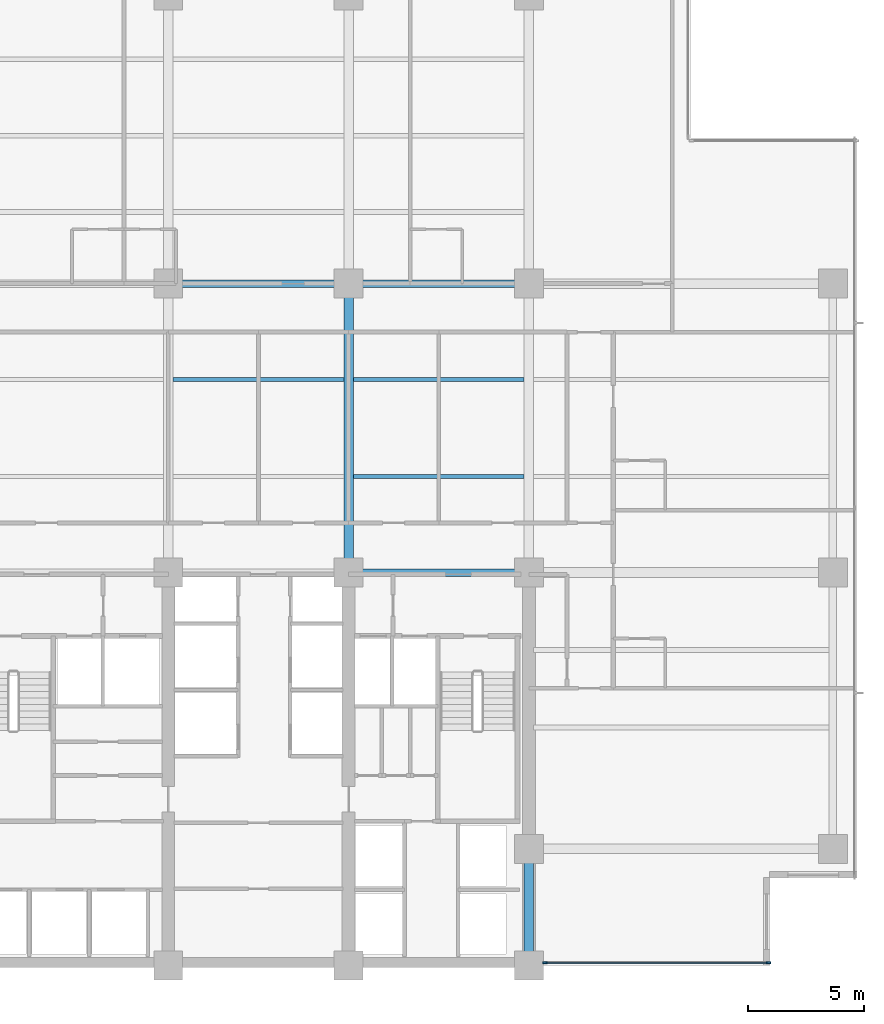
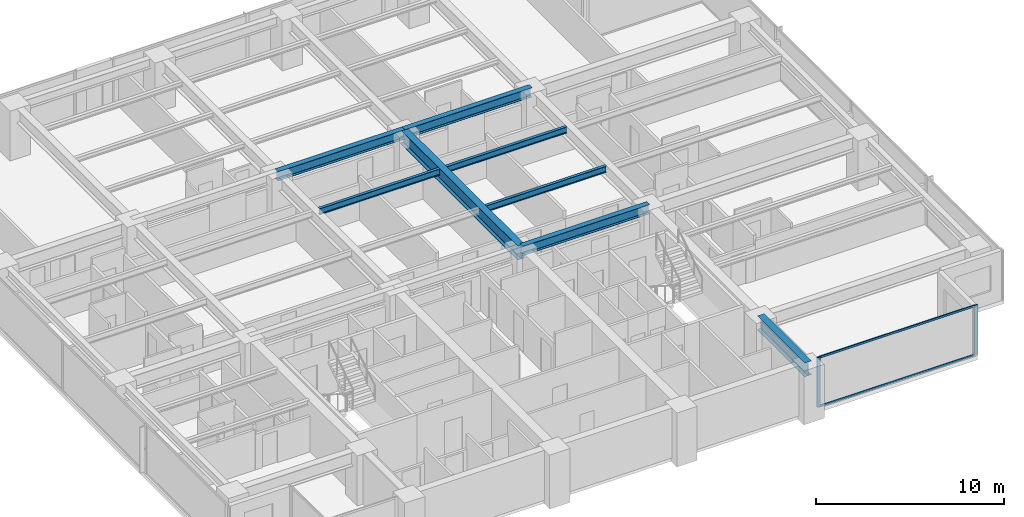
# One storey, part 3 of 17: 8 beams, 4 members, 1 element without a shape of its own.
"""IFC4 building model written with IfcOpenShell, lengths in metres."""

from ifc_helpers import new_model, si_unit, direction, frame, origin, origin_2d, place, context, subcontext, project, spatial, rectangle, i_section, extrude, material, layer, layer_set, material_profile, profile_set, type_object, element, aggregate, save


model = new_model("IFC4")

# Units and contexts
model_context = context("Model", 3, precision=1e-05, world=origin(), true_north=direction((0.0, 1.0)))
body_context = subcontext(model_context, "Body", "Model", "MODEL_VIEW")
ifc_project = project(units=[si_unit("LENGTHUNIT", "METRE"), si_unit("AREAUNIT", "SQUARE_METRE"), si_unit("VOLUMEUNIT", "CUBIC_METRE"), si_unit("PLANEANGLEUNIT", "RADIAN"), si_unit("MASSUNIT", "GRAM", prefix="KILO")], contexts=[model_context])

# Site, building, storey
site_placement = place(None, origin())
site = spatial("IfcSite", under=ifc_project, at=site_placement, CompositionType="ELEMENT")
building_placement = place(site_placement, origin())
building = spatial("IfcBuilding", under=site, at=building_placement, Name="Qalmaran Belvedere Hotel", CompositionType="ELEMENT")
storey_placement = place(building_placement, frame((0.0, 0.0, 116.199951171875)))
storey = spatial("IfcBuildingStorey", under=building, at=storey_placement, Name="L29", CompositionType="ELEMENT", Elevation=116.199951171875)

# Beams
ifc_material_1 = material(Name="Steel S355JR", Category="steel")
ifc_material_profile_1 = material_profile(ifc_material_1, i_section(OverallWidth=0.41796875, OverallDepth=0.912109375, WebThickness=0.019287109375, FlangeThickness=0.031982421875, FilletRadius=0.02392578125, at=origin_2d()), Name="W920X342")
ifc_profile_set_1 = profile_set([ifc_material_profile_1], Name="Steel S355JR")
beam_type_1 = type_object("IfcBeamType", Name="BM-PG2-W920X342", PredefinedType="USERDEFINED", material=ifc_profile_set_1)
beam_1_placement = place(storey_placement, frame((37.0, 20.5, 2.783935546875), z_axis=(0.0, 1.0, 0.0), x_axis=(-1.0, 0.0, 0.0)))
element("IfcBeam", 1, at=beam_1_placement, inside=storey, type_object=beam_type_1, Name="L29 Mid-Plate N-S Girder 18", ObjectType="GIRDER", PredefinedType="USERDEFINED", context=body_context, shape_type="SweptSolid", body=[
    extrude(i_section(OverallWidth=0.41796875, OverallDepth=0.912109375, WebThickness=0.019287109375, FlangeThickness=0.031982421875, FilletRadius=0.02392578125, at=origin_2d()), origin(), (0.0, 0.0, 1.0), 12.5),
])
beam_2_placement = place(storey_placement, frame((44.800048828125, 3.5, 2.783935546875), z_axis=(0.0, 1.0, 0.0), x_axis=(-1.0, 0.0, 0.0)))
element("IfcBeam", 2, at=beam_2_placement, inside=storey, type_object=beam_type_1, Name="L29 East Core Edge Girder A", ObjectType="GIRDER", PredefinedType="USERDEFINED", context=body_context, shape_type="SweptSolid", body=[
    extrude(i_section(OverallWidth=0.41796875, OverallDepth=0.912109375, WebThickness=0.019287109375, FlangeThickness=0.031982421875, FilletRadius=0.02392578125, at=origin_2d()), origin(), (0.0, 0.0, 1.0), 5.050048828125),
])
ifc_material_profile_2 = material_profile(ifc_material_1, i_section(OverallWidth=0.177978515625, OverallDepth=0.406982421875, WebThickness=0.0078125, FlangeThickness=0.0126953125, FilletRadius=0.014892578125, at=origin_2d()), Name="W410X60")
ifc_profile_set_2 = profile_set([ifc_material_profile_2], Name="Steel S355JR")
beam_type_2 = type_object("IfcBeamType", Name="BM-SB2-W410X60", PredefinedType="BEAM", material=ifc_profile_set_2)
for number, where, z_axis, x_axis, name in (
    (3, (37.20703125, 24.64990234375, 3.03662109375), (1.0, 0.0, 0.0), (0.0, 1.0, 0.0), "L29 Secondary Floor Beam 031"),
    (4, (29.406982421875, 28.85009765625, 3.03662109375), (1.0, 0.0, 0.0), (0.0, 1.0, 0.0), "L29 Secondary Floor Beam 035"),
    (5, (37.20703125, 28.85009765625, 3.03662109375), (1.0, 0.0, 0.0), (0.0, 1.0, 0.0), "L29 Secondary Floor Beam 036"),
):
    element("IfcBeam", number, at=place(storey_placement, frame(where, z_axis=z_axis, x_axis=x_axis)), inside=storey, type_object=beam_type_2, Name=name, PredefinedType="BEAM", context=body_context, shape_type="SweptSolid", body=[
        extrude(i_section(OverallWidth=0.177978515625, OverallDepth=0.406982421875, WebThickness=0.0078125, FlangeThickness=0.0126953125, FilletRadius=0.014892578125, at=origin_2d()), origin(), (0.0, 0.0, 1.0), 7.385986328125),
    ])
ifc_material_profile_3 = material_profile(ifc_material_1, i_section(OverallWidth=0.323974609375, OverallDepth=0.611083984375, WebThickness=0.0126953125, FlangeThickness=0.01904296875, FilletRadius=0.02001953125, at=origin_2d()), Name="W610X155")
ifc_profile_set_3 = profile_set([ifc_material_profile_3], Name="Steel S355JR")
beam_type_3 = type_object("IfcBeamType", Name="BM-Z2-W610X155", PredefinedType="USERDEFINED", material=ifc_profile_set_3)
for number, where, z_axis, x_axis, name in (
    (6, (37.0, 20.5, 2.9345703125), (1.0, 0.0, 0.0), (0.0, 1.0, 0.0), "L29 Interior E-W Girder 10"),
    (7, (29.199951171875, 33.0, 2.9345703125), (1.0, 0.0, 0.0), (0.0, 1.0, 0.0), "L29 Interior E-W Girder 12"),
    (8, (37.0, 33.0, 2.9345703125), (1.0, 0.0, 0.0), (0.0, 1.0, 0.0), "L29 Interior E-W Girder 13"),
):
    element("IfcBeam", number, at=place(storey_placement, frame(where, z_axis=z_axis, x_axis=x_axis)), inside=storey, type_object=beam_type_3, Name=name, ObjectType="GIRDER", PredefinedType="USERDEFINED", context=body_context, shape_type="SweptSolid", body=[
        extrude(i_section(OverallWidth=0.323974609375, OverallDepth=0.611083984375, WebThickness=0.0126953125, FlangeThickness=0.01904296875, FilletRadius=0.02001953125, at=origin_2d()), origin(), (0.0, 0.0, 1.0), 7.800048828125),
    ])

# Curtain wall, members
ifc_material_2 = material(Name="Anodised Bronze Aluminium", Category="aluminium")
ifc_layer = layer(ifc_material_2, 0.199951171875, Name="Anodised Bronze Aluminium")
ifc_layer_set = layer_set([ifc_layer], Name="Anodised Bronze Aluminium")
curtain_wall_type = type_object("IfcCurtainWallType", Name="CW3-TOWER-LOWMID", PredefinedType="NOTDEFINED", material=ifc_layer_set)
curtain_wall_placement = place(storey_placement, origin())
curtain_wall = element("IfcCurtainWall", 9, at=curtain_wall_placement, inside=storey, type_object=curtain_wall_type, Name="L29 Curtain Wall CW3", PredefinedType="NOTDEFINED")
ifc_material_profile_4 = material_profile(ifc_material_2, rectangle(XDim=0.070068359375, YDim=0.18994140625, at=origin_2d()), Name="CWM70X190")
ifc_profile_set_4 = profile_set([ifc_material_profile_4], Name="Anodised Bronze Aluminium")
member_type_1 = type_object("IfcMemberType", Name="CWM-70X190", PredefinedType="MULLION", material=ifc_profile_set_4)
member_1_placement = place(storey_placement, frame((45.5, 3.6201171875, 0.0), z_axis=(0.0, 0.0, 1.0), x_axis=(0.0, 1.0, 0.0)))
member_1 = element("IfcMember", 10, at=member_1_placement, type_object=member_type_1, Name="CW3 mullion 1", PredefinedType="MULLION", context=body_context, shape_type="SweptSolid", body=[
    extrude(rectangle(XDim=0.070068359375, YDim=0.18994140625, at=origin_2d()), origin(), (0.0, 0.0, 1.0), 3.239990234375),
])
member_2_placement = place(storey_placement, frame((55.1650390625, 3.6201171875, 0.0), z_axis=(0.0, 0.0, 1.0), x_axis=(0.0, 1.0, 0.0)))
member_2 = element("IfcMember", 11, at=member_2_placement, type_object=member_type_1, Name="CW3 mullion 2", PredefinedType="MULLION", context=body_context, shape_type="SweptSolid", body=[
    extrude(rectangle(XDim=0.070068359375, YDim=0.18994140625, at=origin_2d()), origin(), (0.0, 0.0, 1.0), 3.239990234375),
])
ifc_material_profile_5 = material_profile(ifc_material_2, rectangle(XDim=0.06494140625, YDim=0.1298828125, at=origin_2d()), Name="CWT65X130")
ifc_profile_set_5 = profile_set([ifc_material_profile_5], Name="Anodised Bronze Aluminium")
member_type_2 = type_object("IfcMemberType", Name="CWT-65X130", PredefinedType="USERDEFINED", material=ifc_profile_set_5)
member_3_placement = place(storey_placement, frame((45.534912109375, 3.6201171875, 0.032470703125), z_axis=(1.0, 0.0, 0.0), x_axis=(0.0, 1.0, 0.0)))
member_3 = element("IfcMember", 12, at=member_3_placement, type_object=member_type_2, Name="CW3 transom 1.1", ObjectType="TRANSOM", PredefinedType="USERDEFINED", context=body_context, shape_type="SweptSolid", body=[
    extrude(rectangle(XDim=0.06494140625, YDim=0.1298828125, at=origin_2d()), origin(), (0.0, 0.0, 1.0), 9.594970703125),
])
member_4_placement = place(storey_placement, frame((45.534912109375, 3.6201171875, 3.20751953125), z_axis=(1.0, 0.0, 0.0), x_axis=(0.0, 1.0, 0.0)))
member_4 = element("IfcMember", 13, at=member_4_placement, type_object=member_type_2, Name="CW3 transom 1.2", ObjectType="TRANSOM", PredefinedType="USERDEFINED", context=body_context, shape_type="SweptSolid", body=[
    extrude(rectangle(XDim=0.06494140625, YDim=0.1298828125, at=origin_2d()), origin(), (0.0, 0.0, 1.0), 9.594970703125),
])
aggregate(curtain_wall, [member_1, member_2, member_3, member_4])

save(model, "model.ifc")
